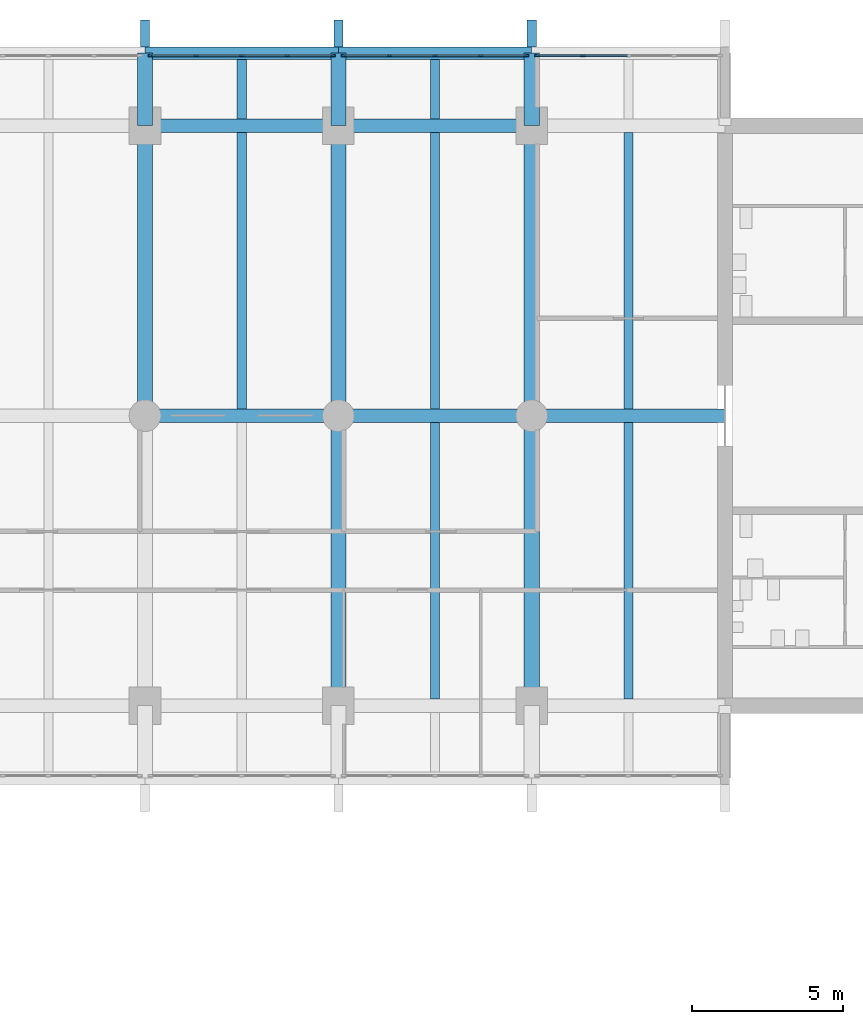
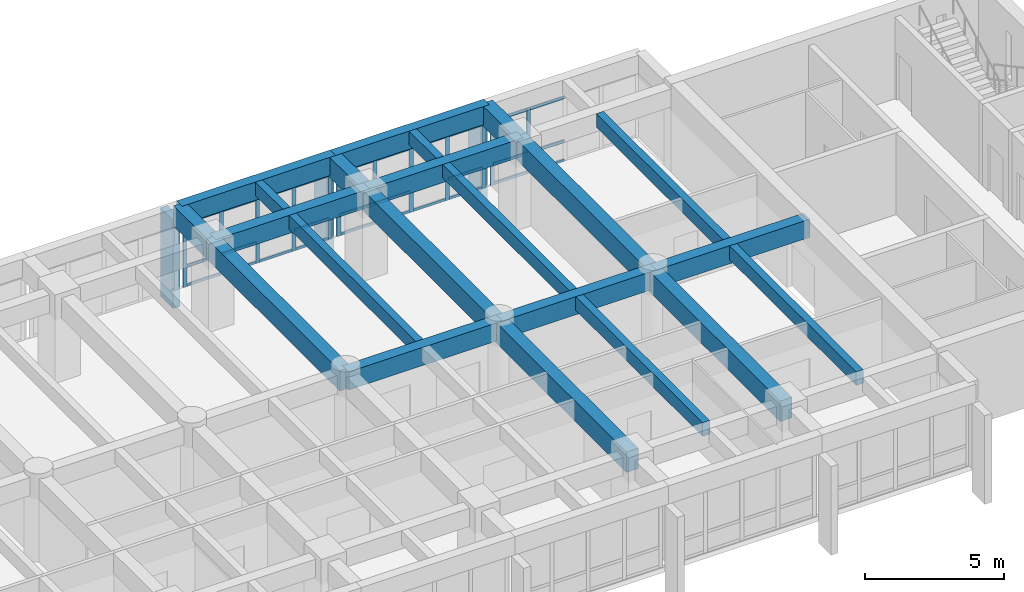
# One storey, part 6 of 19: 45 members, 22 beams, 3 elements without a shape of their own.
"""IFC4 building model written with IfcOpenShell, lengths in metres."""

from ifc_helpers import new_model, si_unit, direction, frame, origin, origin_2d, place, context, subcontext, project, spatial, rectangle, extrude, material, layer, layer_set, material_profile, profile_set, type_object, element, aggregate, save


model = new_model("IFC4")

# Units and contexts
model_context = context("Model", 3, precision=1e-05, world=origin(), true_north=direction((0.0, 1.0)))
body_context = subcontext(model_context, "Body", "Model", "MODEL_VIEW")
ifc_project = project(units=[si_unit("LENGTHUNIT", "METRE"), si_unit("AREAUNIT", "SQUARE_METRE"), si_unit("VOLUMEUNIT", "CUBIC_METRE"), si_unit("PLANEANGLEUNIT", "RADIAN"), si_unit("MASSUNIT", "GRAM", prefix="KILO")], contexts=[model_context])

# Site, building, storey
site_placement = place(None, origin())
site = spatial("IfcSite", under=ifc_project, at=site_placement, CompositionType="ELEMENT")
building_placement = place(site_placement, origin())
building = spatial("IfcBuilding", under=site, at=building_placement, Name="Fogon Plaza Fire Station and Headquarters Tower", CompositionType="ELEMENT")
storey_placement = place(building_placement, frame((0.0, 0.0, 24.89990234375)))
storey = spatial("IfcBuildingStorey", under=building, at=storey_placement, Name="L06", CompositionType="ELEMENT", Elevation=24.89990234375)

# Beams
ifc_material_1 = material(Name="Concrete C40", Category="concrete")
ifc_material_profile_1 = material_profile(ifc_material_1, rectangle(XDim=0.39990234375, YDim=0.800048828125, at=origin_2d()), Name="RC 400x800")
ifc_profile_set_1 = profile_set([ifc_material_profile_1], Name="Concrete C40")
beam_type_1 = type_object("IfcBeamType", Name="BEAM RC 400x800", PredefinedType="BEAM", material=ifc_profile_set_1)
beam_1_placement = place(storey_placement, frame((44.800048828125, 55.199951171875, 3.280029296875), z_axis=(1.0, 0.0, 0.0), x_axis=(0.0, 1.0, 0.0)))
element("IfcBeam", 1, at=beam_1_placement, inside=storey, type_object=beam_type_1, Name="beam-L06-048", PredefinedType="BEAM", context=body_context, shape_type="SweptSolid", body=[
    extrude(rectangle(XDim=0.39990234375, YDim=0.800048828125, at=origin_2d()), origin(), (0.0, 0.0, 1.0), 6.39990234375),
])
beam_2_placement = place(storey_placement, frame((51.199951171875, 55.199951171875, 3.280029296875), z_axis=(1.0, 0.0, 0.0), x_axis=(0.0, 1.0, 0.0)))
element("IfcBeam", 2, at=beam_2_placement, inside=storey, type_object=beam_type_1, Name="beam-L06-049", PredefinedType="BEAM", context=body_context, shape_type="SweptSolid", body=[
    extrude(rectangle(XDim=0.39990234375, YDim=0.800048828125, at=origin_2d()), origin(), (0.0, 0.0, 1.0), 6.400146484375),
])
ifc_material_2 = material(Name="Concrete C40", Category="concrete")
ifc_material_profile_2 = material_profile(ifc_material_2, rectangle(XDim=0.449951171875, YDim=0.800048828125, at=origin_2d()), Name="RC 450x800")
ifc_profile_set_2 = profile_set([ifc_material_profile_2], Name="Concrete C40")
beam_type_2 = type_object("IfcBeamType", Name="BEAM RC 450x800", PredefinedType="BEAM", material=ifc_profile_set_2)
beam_3_placement = place(storey_placement, frame((44.800048828125, 43.199951171875, 3.280029296875), z_axis=(1.0, 0.0, 0.0), x_axis=(0.0, 1.0, 0.0)))
element("IfcBeam", 3, at=beam_3_placement, inside=storey, type_object=beam_type_2, Name="beam-L06-030", PredefinedType="BEAM", context=body_context, shape_type="SweptSolid", body=[
    extrude(rectangle(XDim=0.449951171875, YDim=0.800048828125, at=origin_2d()), origin(), (0.0, 0.0, 1.0), 6.39990234375),
])
beam_4_placement = place(storey_placement, frame((51.199951171875, 43.199951171875, 3.280029296875), z_axis=(1.0, 0.0, 0.0), x_axis=(0.0, 1.0, 0.0)))
element("IfcBeam", 4, at=beam_4_placement, inside=storey, type_object=beam_type_2, Name="beam-L06-031", PredefinedType="BEAM", context=body_context, shape_type="SweptSolid", body=[
    extrude(rectangle(XDim=0.449951171875, YDim=0.800048828125, at=origin_2d()), origin(), (0.0, 0.0, 1.0), 6.400146484375),
])
for number, where, z_axis, x_axis, name in (
    (5, (57.60009765625, 43.199951171875, 3.280029296875), (1.0, 0.0, 0.0), (0.0, 1.0, 0.0), "beam-L06-032"),
    (6, (44.800048828125, 52.800048828125, 3.280029296875), (1.0, 0.0, 0.0), (0.0, 1.0, 0.0), "beam-L06-036"),
):
    element("IfcBeam", number, at=place(storey_placement, frame(where, z_axis=z_axis, x_axis=x_axis)), inside=storey, type_object=beam_type_2, Name=name, PredefinedType="BEAM", context=body_context, shape_type="SweptSolid", body=[
        extrude(rectangle(XDim=0.449951171875, YDim=0.800048828125, at=origin_2d()), origin(), (0.0, 0.0, 1.0), 6.39990234375),
    ])
beam_5_placement = place(storey_placement, frame((51.199951171875, 52.800048828125, 3.280029296875), z_axis=(1.0, 0.0, 0.0), x_axis=(0.0, 1.0, 0.0)))
element("IfcBeam", 7, at=beam_5_placement, inside=storey, type_object=beam_type_2, Name="beam-L06-037", PredefinedType="BEAM", context=body_context, shape_type="SweptSolid", body=[
    extrude(rectangle(XDim=0.449951171875, YDim=0.800048828125, at=origin_2d()), origin(), (0.0, 0.0, 1.0), 6.400146484375),
])
ifc_material_3 = material(Name="Concrete C40", Category="concrete")
ifc_material_profile_3 = material_profile(ifc_material_3, rectangle(XDim=0.5, YDim=0.89990234375, at=origin_2d()), Name="RC 500x900")
ifc_profile_set_3 = profile_set([ifc_material_profile_3], Name="Concrete C40")
beam_type_3 = type_object("IfcBeamType", Name="BEAM RC 500x900 SPAN 0.0 TO 3.0 M", PredefinedType="BEAM", material=ifc_profile_set_3)
for number, where, z_axis, x_axis, name in (
    (8, (44.800048828125, 52.800048828125, 3.22998046875), (0.0, 1.0, 0.0), (-1.0, 0.0, 0.0), "beam-L06-012"),
    (9, (51.199951171875, 52.800048828125, 3.22998046875), (0.0, 1.0, 0.0), (-1.0, 0.0, 0.0), "beam-L06-016"),
    (10, (57.60009765625, 52.800048828125, 3.22998046875), (0.0, 1.0, 0.0), (-1.0, 0.0, 0.0), "beam-L06-020"),
):
    element("IfcBeam", number, at=place(storey_placement, frame(where, z_axis=z_axis, x_axis=x_axis)), inside=storey, type_object=beam_type_3, Name=name, PredefinedType="BEAM", context=body_context, shape_type="SweptSolid", body=[
        extrude(rectangle(XDim=0.5, YDim=0.89990234375, at=origin_2d()), origin(), (0.0, 0.0, 1.0), 2.39990234375),
    ])
ifc_material_4 = material(Name="Concrete C40", Category="concrete")
ifc_material_profile_4 = material_profile(ifc_material_4, rectangle(XDim=0.5, YDim=0.89990234375, at=origin_2d()), Name="RC 500x900")
ifc_profile_set_4 = profile_set([ifc_material_profile_4], Name="Concrete C40")
beam_type_4 = type_object("IfcBeamType", Name="BEAM RC 500x900 SPAN 7.7 TO 12.3 M", PredefinedType="BEAM", material=ifc_profile_set_4)
beam_6_placement = place(storey_placement, frame((44.800048828125, 43.199951171875, 3.22998046875), z_axis=(0.0, 1.0, 0.0), x_axis=(-1.0, 0.0, 0.0)))
element("IfcBeam", 11, at=beam_6_placement, inside=storey, type_object=beam_type_4, Name="beam-L06-011", PredefinedType="BEAM", context=body_context, shape_type="SweptSolid", body=[
    extrude(rectangle(XDim=0.5, YDim=0.89990234375, at=origin_2d()), origin(), (0.0, 0.0, 1.0), 9.60009765625),
])
beam_7_placement = place(storey_placement, frame((51.199951171875, 33.60009765625, 3.22998046875), z_axis=(0.0, 1.0, 0.0), x_axis=(-1.0, 0.0, 0.0)))
element("IfcBeam", 12, at=beam_7_placement, inside=storey, type_object=beam_type_4, Name="beam-L06-014", PredefinedType="BEAM", context=body_context, shape_type="SweptSolid", body=[
    extrude(rectangle(XDim=0.5, YDim=0.89990234375, at=origin_2d()), origin(), (0.0, 0.0, 1.0), 9.599853515625),
])
beam_8_placement = place(storey_placement, frame((51.199951171875, 43.199951171875, 3.22998046875), z_axis=(0.0, 1.0, 0.0), x_axis=(-1.0, 0.0, 0.0)))
element("IfcBeam", 13, at=beam_8_placement, inside=storey, type_object=beam_type_4, Name="beam-L06-015", PredefinedType="BEAM", context=body_context, shape_type="SweptSolid", body=[
    extrude(rectangle(XDim=0.5, YDim=0.89990234375, at=origin_2d()), origin(), (0.0, 0.0, 1.0), 9.60009765625),
])
beam_9_placement = place(storey_placement, frame((57.60009765625, 33.60009765625, 3.22998046875), z_axis=(0.0, 1.0, 0.0), x_axis=(-1.0, 0.0, 0.0)))
element("IfcBeam", 14, at=beam_9_placement, inside=storey, type_object=beam_type_4, Name="beam-L06-018", PredefinedType="BEAM", context=body_context, shape_type="SweptSolid", body=[
    extrude(rectangle(XDim=0.5, YDim=0.89990234375, at=origin_2d()), origin(), (0.0, 0.0, 1.0), 9.599853515625),
])
beam_10_placement = place(storey_placement, frame((57.60009765625, 43.199951171875, 3.22998046875), z_axis=(0.0, 1.0, 0.0), x_axis=(-1.0, 0.0, 0.0)))
element("IfcBeam", 15, at=beam_10_placement, inside=storey, type_object=beam_type_4, Name="beam-L06-019", PredefinedType="BEAM", context=body_context, shape_type="SweptSolid", body=[
    extrude(rectangle(XDim=0.5, YDim=0.89990234375, at=origin_2d()), origin(), (0.0, 0.0, 1.0), 9.60009765625),
])

# Curtain wall, members
ifc_material_5 = material(Name="Aluminium and glass", Category="aluminium")
ifc_layer = layer(ifc_material_5, 0.14990234375)
ifc_layer_set = layer_set([ifc_layer], Name="Aluminium and glass")
curtain_wall_type = type_object("IfcCurtainWallType", Name="Unitised Curtain Wall Run 6100x2880", PredefinedType="NOTDEFINED", material=ifc_layer_set)
curtain_wall_1_placement = place(storey_placement, origin())
curtain_wall_1 = element("IfcCurtainWall", 16, at=curtain_wall_1_placement, inside=storey, type_object=curtain_wall_type, Name="CW-6100x2880 N4 L06", PredefinedType="NOTDEFINED")
ifc_material_6 = material(Name="Aluminium", Category="aluminium")
ifc_material_profile_5 = material_profile(ifc_material_6, rectangle(XDim=0.06005859375, YDim=0.159912109375, at=origin_2d()), Name="Curtain Wall Mullion 60x160")
ifc_profile_set_5 = profile_set([ifc_material_profile_5], Name="Aluminium")
member_type_1 = type_object("IfcMemberType", Name="Curtain Wall Mullion 60x160", PredefinedType="MULLION", material=ifc_profile_set_5)
member_1_placement = place(storey_placement, frame((44.97998046875, 55.1201171875, 0.0), z_axis=(0.0, 0.0, 1.0), x_axis=(0.0, 1.0, 0.0)))
member_1 = element("IfcMember", 17, at=member_1_placement, type_object=member_type_1, Name="CW-6100x2880 mullion 1", PredefinedType="MULLION", context=body_context, shape_type="SweptSolid", body=[
    extrude(rectangle(XDim=0.06005859375, YDim=0.159912109375, at=origin_2d()), origin(), (0.0, 0.0, 1.0), 2.880126953125),
])
member_2_placement = place(storey_placement, frame((46.489990234375, 55.1201171875, 0.0), z_axis=(0.0, 0.0, 1.0), x_axis=(0.0, 1.0, 0.0)))
member_2 = element("IfcMember", 18, at=member_2_placement, type_object=member_type_1, Name="CW-6100x2880 mullion 2", PredefinedType="MULLION", context=body_context, shape_type="SweptSolid", body=[
    extrude(rectangle(XDim=0.06005859375, YDim=0.159912109375, at=origin_2d()), origin(), (0.0, 0.0, 1.0), 2.880126953125),
])
member_3_placement = place(storey_placement, frame((48.0, 55.1201171875, 0.0), z_axis=(0.0, 0.0, 1.0), x_axis=(0.0, 1.0, 0.0)))
member_3 = element("IfcMember", 19, at=member_3_placement, type_object=member_type_1, Name="CW-6100x2880 mullion 3", PredefinedType="MULLION", context=body_context, shape_type="SweptSolid", body=[
    extrude(rectangle(XDim=0.06005859375, YDim=0.159912109375, at=origin_2d()), origin(), (0.0, 0.0, 1.0), 2.880126953125),
])
member_4_placement = place(storey_placement, frame((49.510009765625, 55.1201171875, 0.0), z_axis=(0.0, 0.0, 1.0), x_axis=(0.0, 1.0, 0.0)))
member_4 = element("IfcMember", 20, at=member_4_placement, type_object=member_type_1, Name="CW-6100x2880 mullion 4", PredefinedType="MULLION", context=body_context, shape_type="SweptSolid", body=[
    extrude(rectangle(XDim=0.06005859375, YDim=0.159912109375, at=origin_2d()), origin(), (0.0, 0.0, 1.0), 2.880126953125),
])
member_5_placement = place(storey_placement, frame((51.02001953125, 55.1201171875, 0.0), z_axis=(0.0, 0.0, 1.0), x_axis=(0.0, 1.0, 0.0)))
member_5 = element("IfcMember", 21, at=member_5_placement, type_object=member_type_1, Name="CW-6100x2880 mullion 5", PredefinedType="MULLION", context=body_context, shape_type="SweptSolid", body=[
    extrude(rectangle(XDim=0.06005859375, YDim=0.159912109375, at=origin_2d()), origin(), (0.0, 0.0, 1.0), 2.880126953125),
])

curtain_wall_2_placement = place(storey_placement, origin())
curtain_wall_2 = element("IfcCurtainWall", 22, at=curtain_wall_2_placement, inside=storey, type_object=curtain_wall_type, Name="CW-6100x2880 N5 L06", PredefinedType="NOTDEFINED")
member_6_placement = place(storey_placement, frame((51.3798828125, 55.1201171875, 0.0), z_axis=(0.0, 0.0, 1.0), x_axis=(0.0, 1.0, 0.0)))
member_6 = element("IfcMember", 23, at=member_6_placement, type_object=member_type_1, Name="CW-6100x2880 mullion 1", PredefinedType="MULLION", context=body_context, shape_type="SweptSolid", body=[
    extrude(rectangle(XDim=0.06005859375, YDim=0.159912109375, at=origin_2d()), origin(), (0.0, 0.0, 1.0), 2.880126953125),
])
member_7_placement = place(storey_placement, frame((52.889892578125, 55.1201171875, 0.0), z_axis=(0.0, 0.0, 1.0), x_axis=(0.0, 1.0, 0.0)))
member_7 = element("IfcMember", 24, at=member_7_placement, type_object=member_type_1, Name="CW-6100x2880 mullion 2", PredefinedType="MULLION", context=body_context, shape_type="SweptSolid", body=[
    extrude(rectangle(XDim=0.06005859375, YDim=0.159912109375, at=origin_2d()), origin(), (0.0, 0.0, 1.0), 2.880126953125),
])
member_8_placement = place(storey_placement, frame((54.39990234375, 55.1201171875, 0.0), z_axis=(0.0, 0.0, 1.0), x_axis=(0.0, 1.0, 0.0)))
member_8 = element("IfcMember", 25, at=member_8_placement, type_object=member_type_1, Name="CW-6100x2880 mullion 3", PredefinedType="MULLION", context=body_context, shape_type="SweptSolid", body=[
    extrude(rectangle(XDim=0.06005859375, YDim=0.159912109375, at=origin_2d()), origin(), (0.0, 0.0, 1.0), 2.880126953125),
])
member_9_placement = place(storey_placement, frame((55.909912109375, 55.1201171875, 0.0), z_axis=(0.0, 0.0, 1.0), x_axis=(0.0, 1.0, 0.0)))
member_9 = element("IfcMember", 26, at=member_9_placement, type_object=member_type_1, Name="CW-6100x2880 mullion 4", PredefinedType="MULLION", context=body_context, shape_type="SweptSolid", body=[
    extrude(rectangle(XDim=0.06005859375, YDim=0.159912109375, at=origin_2d()), origin(), (0.0, 0.0, 1.0), 2.880126953125),
])
member_10_placement = place(storey_placement, frame((57.419921875, 55.1201171875, 0.0), z_axis=(0.0, 0.0, 1.0), x_axis=(0.0, 1.0, 0.0)))
member_10 = element("IfcMember", 27, at=member_10_placement, type_object=member_type_1, Name="CW-6100x2880 mullion 5", PredefinedType="MULLION", context=body_context, shape_type="SweptSolid", body=[
    extrude(rectangle(XDim=0.06005859375, YDim=0.159912109375, at=origin_2d()), origin(), (0.0, 0.0, 1.0), 2.880126953125),
])

curtain_wall_3_placement = place(storey_placement, origin())
curtain_wall_3 = element("IfcCurtainWall", 28, at=curtain_wall_3_placement, inside=storey, type_object=curtain_wall_type, Name="CW-6100x2880 N6 L06", PredefinedType="NOTDEFINED")
member_11_placement = place(storey_placement, frame((57.780029296875, 55.1201171875, 0.0), z_axis=(0.0, 0.0, 1.0), x_axis=(0.0, 1.0, 0.0)))
member_11 = element("IfcMember", 29, at=member_11_placement, type_object=member_type_1, Name="CW-6100x2880 mullion 1", PredefinedType="MULLION", context=body_context, shape_type="SweptSolid", body=[
    extrude(rectangle(XDim=0.06005859375, YDim=0.159912109375, at=origin_2d()), origin(), (0.0, 0.0, 1.0), 2.880126953125),
])
member_12_placement = place(storey_placement, frame((59.2900390625, 55.1201171875, 0.0), z_axis=(0.0, 0.0, 1.0), x_axis=(0.0, 1.0, 0.0)))
member_12 = element("IfcMember", 30, at=member_12_placement, type_object=member_type_1, Name="CW-6100x2880 mullion 2", PredefinedType="MULLION", context=body_context, shape_type="SweptSolid", body=[
    extrude(rectangle(XDim=0.06005859375, YDim=0.159912109375, at=origin_2d()), origin(), (0.0, 0.0, 1.0), 2.880126953125),
])

# Member
ifc_material_7 = material(Name="Aluminium", Category="aluminium")
ifc_material_profile_6 = material_profile(ifc_material_7, rectangle(XDim=0.06005859375, YDim=0.1201171875, at=origin_2d()), Name="Curtain Wall Transom 60x120")
ifc_profile_set_6 = profile_set([ifc_material_profile_6], Name="Aluminium")
member_type_2 = type_object("IfcMemberType", Name="Curtain Wall Transom 60x120", PredefinedType="USERDEFINED", material=ifc_profile_set_6)
member_13_placement = place(storey_placement, frame((45.010009765625, 55.1201171875, 0.06005859375), z_axis=(1.0, 0.0, 0.0), x_axis=(0.0, 1.0, 0.0)))
member_13 = element("IfcMember", 31, at=member_13_placement, type_object=member_type_2, Name="CW-6100x2880 transom 1.1", ObjectType="TRANSOM", PredefinedType="USERDEFINED", context=body_context, shape_type="SweptSolid", body=[
    extrude(rectangle(XDim=0.06005859375, YDim=0.1201171875, at=origin_2d()), origin(), (0.0, 0.0, 1.0), 1.449951171875),
])

member_14_placement = place(storey_placement, frame((45.010009765625, 55.1201171875, 0.900146484375), z_axis=(1.0, 0.0, 0.0), x_axis=(0.0, 1.0, 0.0)))
member_14 = element("IfcMember", 32, at=member_14_placement, type_object=member_type_2, Name="CW-6100x2880 transom 1.2", ObjectType="TRANSOM", PredefinedType="USERDEFINED", context=body_context, shape_type="SweptSolid", body=[
    extrude(rectangle(XDim=0.06005859375, YDim=0.1201171875, at=origin_2d()), origin(), (0.0, 0.0, 1.0), 1.449951171875),
])

member_15_placement = place(storey_placement, frame((45.010009765625, 55.1201171875, 2.820068359375), z_axis=(1.0, 0.0, 0.0), x_axis=(0.0, 1.0, 0.0)))
member_15 = element("IfcMember", 33, at=member_15_placement, type_object=member_type_2, Name="CW-6100x2880 transom 1.3", ObjectType="TRANSOM", PredefinedType="USERDEFINED", context=body_context, shape_type="SweptSolid", body=[
    extrude(rectangle(XDim=0.06005859375, YDim=0.1201171875, at=origin_2d()), origin(), (0.0, 0.0, 1.0), 1.449951171875),
])

member_16_placement = place(storey_placement, frame((46.52001953125, 55.1201171875, 0.06005859375), z_axis=(1.0, 0.0, 0.0), x_axis=(0.0, 1.0, 0.0)))
member_16 = element("IfcMember", 34, at=member_16_placement, type_object=member_type_2, Name="CW-6100x2880 transom 2.1", ObjectType="TRANSOM", PredefinedType="USERDEFINED", context=body_context, shape_type="SweptSolid", body=[
    extrude(rectangle(XDim=0.06005859375, YDim=0.1201171875, at=origin_2d()), origin(), (0.0, 0.0, 1.0), 1.449951171875),
])

member_17_placement = place(storey_placement, frame((46.52001953125, 55.1201171875, 0.900146484375), z_axis=(1.0, 0.0, 0.0), x_axis=(0.0, 1.0, 0.0)))
member_17 = element("IfcMember", 35, at=member_17_placement, type_object=member_type_2, Name="CW-6100x2880 transom 2.2", ObjectType="TRANSOM", PredefinedType="USERDEFINED", context=body_context, shape_type="SweptSolid", body=[
    extrude(rectangle(XDim=0.06005859375, YDim=0.1201171875, at=origin_2d()), origin(), (0.0, 0.0, 1.0), 1.449951171875),
])

member_18_placement = place(storey_placement, frame((46.52001953125, 55.1201171875, 2.820068359375), z_axis=(1.0, 0.0, 0.0), x_axis=(0.0, 1.0, 0.0)))
member_18 = element("IfcMember", 36, at=member_18_placement, type_object=member_type_2, Name="CW-6100x2880 transom 2.3", ObjectType="TRANSOM", PredefinedType="USERDEFINED", context=body_context, shape_type="SweptSolid", body=[
    extrude(rectangle(XDim=0.06005859375, YDim=0.1201171875, at=origin_2d()), origin(), (0.0, 0.0, 1.0), 1.449951171875),
])

member_19_placement = place(storey_placement, frame((48.030029296875, 55.1201171875, 0.06005859375), z_axis=(1.0, 0.0, 0.0), x_axis=(0.0, 1.0, 0.0)))
member_19 = element("IfcMember", 37, at=member_19_placement, type_object=member_type_2, Name="CW-6100x2880 transom 3.1", ObjectType="TRANSOM", PredefinedType="USERDEFINED", context=body_context, shape_type="SweptSolid", body=[
    extrude(rectangle(XDim=0.06005859375, YDim=0.1201171875, at=origin_2d()), origin(), (0.0, 0.0, 1.0), 1.449951171875),
])

member_20_placement = place(storey_placement, frame((48.030029296875, 55.1201171875, 0.900146484375), z_axis=(1.0, 0.0, 0.0), x_axis=(0.0, 1.0, 0.0)))
member_20 = element("IfcMember", 38, at=member_20_placement, type_object=member_type_2, Name="CW-6100x2880 transom 3.2", ObjectType="TRANSOM", PredefinedType="USERDEFINED", context=body_context, shape_type="SweptSolid", body=[
    extrude(rectangle(XDim=0.06005859375, YDim=0.1201171875, at=origin_2d()), origin(), (0.0, 0.0, 1.0), 1.449951171875),
])

member_21_placement = place(storey_placement, frame((48.030029296875, 55.1201171875, 2.820068359375), z_axis=(1.0, 0.0, 0.0), x_axis=(0.0, 1.0, 0.0)))
member_21 = element("IfcMember", 39, at=member_21_placement, type_object=member_type_2, Name="CW-6100x2880 transom 3.3", ObjectType="TRANSOM", PredefinedType="USERDEFINED", context=body_context, shape_type="SweptSolid", body=[
    extrude(rectangle(XDim=0.06005859375, YDim=0.1201171875, at=origin_2d()), origin(), (0.0, 0.0, 1.0), 1.449951171875),
])

member_22_placement = place(storey_placement, frame((49.5400390625, 55.1201171875, 0.06005859375), z_axis=(1.0, 0.0, 0.0), x_axis=(0.0, 1.0, 0.0)))
member_22 = element("IfcMember", 40, at=member_22_placement, type_object=member_type_2, Name="CW-6100x2880 transom 4.1", ObjectType="TRANSOM", PredefinedType="USERDEFINED", context=body_context, shape_type="SweptSolid", body=[
    extrude(rectangle(XDim=0.06005859375, YDim=0.1201171875, at=origin_2d()), origin(), (0.0, 0.0, 1.0), 1.449951171875),
])

member_23_placement = place(storey_placement, frame((49.5400390625, 55.1201171875, 0.900146484375), z_axis=(1.0, 0.0, 0.0), x_axis=(0.0, 1.0, 0.0)))
member_23 = element("IfcMember", 41, at=member_23_placement, type_object=member_type_2, Name="CW-6100x2880 transom 4.2", ObjectType="TRANSOM", PredefinedType="USERDEFINED", context=body_context, shape_type="SweptSolid", body=[
    extrude(rectangle(XDim=0.06005859375, YDim=0.1201171875, at=origin_2d()), origin(), (0.0, 0.0, 1.0), 1.449951171875),
])

member_24_placement = place(storey_placement, frame((49.5400390625, 55.1201171875, 2.820068359375), z_axis=(1.0, 0.0, 0.0), x_axis=(0.0, 1.0, 0.0)))
member_24 = element("IfcMember", 42, at=member_24_placement, type_object=member_type_2, Name="CW-6100x2880 transom 4.3", ObjectType="TRANSOM", PredefinedType="USERDEFINED", context=body_context, shape_type="SweptSolid", body=[
    extrude(rectangle(XDim=0.06005859375, YDim=0.1201171875, at=origin_2d()), origin(), (0.0, 0.0, 1.0), 1.449951171875),
])

aggregate(curtain_wall_1, [member_1, member_2, member_3, member_4, member_5, member_13, member_14, member_15, member_16, member_17, member_18, member_19, member_20, member_21, member_22, member_23, member_24])

member_25_placement = place(storey_placement, frame((51.409912109375, 55.1201171875, 0.06005859375), z_axis=(1.0, 0.0, 0.0), x_axis=(0.0, 1.0, 0.0)))
member_25 = element("IfcMember", 43, at=member_25_placement, type_object=member_type_2, Name="CW-6100x2880 transom 1.1", ObjectType="TRANSOM", PredefinedType="USERDEFINED", context=body_context, shape_type="SweptSolid", body=[
    extrude(rectangle(XDim=0.06005859375, YDim=0.1201171875, at=origin_2d()), origin(), (0.0, 0.0, 1.0), 1.4501953125),
])

member_26_placement = place(storey_placement, frame((51.409912109375, 55.1201171875, 0.900146484375), z_axis=(1.0, 0.0, 0.0), x_axis=(0.0, 1.0, 0.0)))
member_26 = element("IfcMember", 44, at=member_26_placement, type_object=member_type_2, Name="CW-6100x2880 transom 1.2", ObjectType="TRANSOM", PredefinedType="USERDEFINED", context=body_context, shape_type="SweptSolid", body=[
    extrude(rectangle(XDim=0.06005859375, YDim=0.1201171875, at=origin_2d()), origin(), (0.0, 0.0, 1.0), 1.4501953125),
])

member_27_placement = place(storey_placement, frame((51.409912109375, 55.1201171875, 2.820068359375), z_axis=(1.0, 0.0, 0.0), x_axis=(0.0, 1.0, 0.0)))
member_27 = element("IfcMember", 45, at=member_27_placement, type_object=member_type_2, Name="CW-6100x2880 transom 1.3", ObjectType="TRANSOM", PredefinedType="USERDEFINED", context=body_context, shape_type="SweptSolid", body=[
    extrude(rectangle(XDim=0.06005859375, YDim=0.1201171875, at=origin_2d()), origin(), (0.0, 0.0, 1.0), 1.4501953125),
])

member_28_placement = place(storey_placement, frame((52.919921875, 55.1201171875, 0.06005859375), z_axis=(1.0, 0.0, 0.0), x_axis=(0.0, 1.0, 0.0)))
member_28 = element("IfcMember", 46, at=member_28_placement, type_object=member_type_2, Name="CW-6100x2880 transom 2.1", ObjectType="TRANSOM", PredefinedType="USERDEFINED", context=body_context, shape_type="SweptSolid", body=[
    extrude(rectangle(XDim=0.06005859375, YDim=0.1201171875, at=origin_2d()), origin(), (0.0, 0.0, 1.0), 1.4501953125),
])

member_29_placement = place(storey_placement, frame((52.919921875, 55.1201171875, 0.900146484375), z_axis=(1.0, 0.0, 0.0), x_axis=(0.0, 1.0, 0.0)))
member_29 = element("IfcMember", 47, at=member_29_placement, type_object=member_type_2, Name="CW-6100x2880 transom 2.2", ObjectType="TRANSOM", PredefinedType="USERDEFINED", context=body_context, shape_type="SweptSolid", body=[
    extrude(rectangle(XDim=0.06005859375, YDim=0.1201171875, at=origin_2d()), origin(), (0.0, 0.0, 1.0), 1.4501953125),
])

member_30_placement = place(storey_placement, frame((52.919921875, 55.1201171875, 2.820068359375), z_axis=(1.0, 0.0, 0.0), x_axis=(0.0, 1.0, 0.0)))
member_30 = element("IfcMember", 48, at=member_30_placement, type_object=member_type_2, Name="CW-6100x2880 transom 2.3", ObjectType="TRANSOM", PredefinedType="USERDEFINED", context=body_context, shape_type="SweptSolid", body=[
    extrude(rectangle(XDim=0.06005859375, YDim=0.1201171875, at=origin_2d()), origin(), (0.0, 0.0, 1.0), 1.4501953125),
])

member_31_placement = place(storey_placement, frame((54.429931640625, 55.1201171875, 0.06005859375), z_axis=(1.0, 0.0, 0.0), x_axis=(0.0, 1.0, 0.0)))
member_31 = element("IfcMember", 49, at=member_31_placement, type_object=member_type_2, Name="CW-6100x2880 transom 3.1", ObjectType="TRANSOM", PredefinedType="USERDEFINED", context=body_context, shape_type="SweptSolid", body=[
    extrude(rectangle(XDim=0.06005859375, YDim=0.1201171875, at=origin_2d()), origin(), (0.0, 0.0, 1.0), 1.449951171875),
])

member_32_placement = place(storey_placement, frame((54.429931640625, 55.1201171875, 0.900146484375), z_axis=(1.0, 0.0, 0.0), x_axis=(0.0, 1.0, 0.0)))
member_32 = element("IfcMember", 50, at=member_32_placement, type_object=member_type_2, Name="CW-6100x2880 transom 3.2", ObjectType="TRANSOM", PredefinedType="USERDEFINED", context=body_context, shape_type="SweptSolid", body=[
    extrude(rectangle(XDim=0.06005859375, YDim=0.1201171875, at=origin_2d()), origin(), (0.0, 0.0, 1.0), 1.449951171875),
])

member_33_placement = place(storey_placement, frame((54.429931640625, 55.1201171875, 2.820068359375), z_axis=(1.0, 0.0, 0.0), x_axis=(0.0, 1.0, 0.0)))
member_33 = element("IfcMember", 51, at=member_33_placement, type_object=member_type_2, Name="CW-6100x2880 transom 3.3", ObjectType="TRANSOM", PredefinedType="USERDEFINED", context=body_context, shape_type="SweptSolid", body=[
    extrude(rectangle(XDim=0.06005859375, YDim=0.1201171875, at=origin_2d()), origin(), (0.0, 0.0, 1.0), 1.449951171875),
])

member_34_placement = place(storey_placement, frame((55.93994140625, 55.1201171875, 0.06005859375), z_axis=(1.0, 0.0, 0.0), x_axis=(0.0, 1.0, 0.0)))
member_34 = element("IfcMember", 52, at=member_34_placement, type_object=member_type_2, Name="CW-6100x2880 transom 4.1", ObjectType="TRANSOM", PredefinedType="USERDEFINED", context=body_context, shape_type="SweptSolid", body=[
    extrude(rectangle(XDim=0.06005859375, YDim=0.1201171875, at=origin_2d()), origin(), (0.0, 0.0, 1.0), 1.449951171875),
])

member_35_placement = place(storey_placement, frame((55.93994140625, 55.1201171875, 0.900146484375), z_axis=(1.0, 0.0, 0.0), x_axis=(0.0, 1.0, 0.0)))
member_35 = element("IfcMember", 53, at=member_35_placement, type_object=member_type_2, Name="CW-6100x2880 transom 4.2", ObjectType="TRANSOM", PredefinedType="USERDEFINED", context=body_context, shape_type="SweptSolid", body=[
    extrude(rectangle(XDim=0.06005859375, YDim=0.1201171875, at=origin_2d()), origin(), (0.0, 0.0, 1.0), 1.449951171875),
])

member_36_placement = place(storey_placement, frame((55.93994140625, 55.1201171875, 2.820068359375), z_axis=(1.0, 0.0, 0.0), x_axis=(0.0, 1.0, 0.0)))
member_36 = element("IfcMember", 54, at=member_36_placement, type_object=member_type_2, Name="CW-6100x2880 transom 4.3", ObjectType="TRANSOM", PredefinedType="USERDEFINED", context=body_context, shape_type="SweptSolid", body=[
    extrude(rectangle(XDim=0.06005859375, YDim=0.1201171875, at=origin_2d()), origin(), (0.0, 0.0, 1.0), 1.449951171875),
])

aggregate(curtain_wall_2, [member_6, member_7, member_8, member_9, member_10, member_25, member_26, member_27, member_28, member_29, member_30, member_31, member_32, member_33, member_34, member_35, member_36])

member_37_placement = place(storey_placement, frame((57.81005859375, 55.1201171875, 0.06005859375), z_axis=(1.0, 0.0, 0.0), x_axis=(0.0, 1.0, 0.0)))
member_37 = element("IfcMember", 55, at=member_37_placement, type_object=member_type_2, Name="CW-6100x2880 transom 1.1", ObjectType="TRANSOM", PredefinedType="USERDEFINED", context=body_context, shape_type="SweptSolid", body=[
    extrude(rectangle(XDim=0.06005859375, YDim=0.1201171875, at=origin_2d()), origin(), (0.0, 0.0, 1.0), 1.449951171875),
])

member_38_placement = place(storey_placement, frame((57.81005859375, 55.1201171875, 0.900146484375), z_axis=(1.0, 0.0, 0.0), x_axis=(0.0, 1.0, 0.0)))
member_38 = element("IfcMember", 56, at=member_38_placement, type_object=member_type_2, Name="CW-6100x2880 transom 1.2", ObjectType="TRANSOM", PredefinedType="USERDEFINED", context=body_context, shape_type="SweptSolid", body=[
    extrude(rectangle(XDim=0.06005859375, YDim=0.1201171875, at=origin_2d()), origin(), (0.0, 0.0, 1.0), 1.449951171875),
])

member_39_placement = place(storey_placement, frame((57.81005859375, 55.1201171875, 2.820068359375), z_axis=(1.0, 0.0, 0.0), x_axis=(0.0, 1.0, 0.0)))
member_39 = element("IfcMember", 57, at=member_39_placement, type_object=member_type_2, Name="CW-6100x2880 transom 1.3", ObjectType="TRANSOM", PredefinedType="USERDEFINED", context=body_context, shape_type="SweptSolid", body=[
    extrude(rectangle(XDim=0.06005859375, YDim=0.1201171875, at=origin_2d()), origin(), (0.0, 0.0, 1.0), 1.449951171875),
])

member_40_placement = place(storey_placement, frame((59.320068359375, 55.1201171875, 0.06005859375), z_axis=(1.0, 0.0, 0.0), x_axis=(0.0, 1.0, 0.0)))
member_40 = element("IfcMember", 58, at=member_40_placement, type_object=member_type_2, Name="CW-6100x2880 transom 2.1", ObjectType="TRANSOM", PredefinedType="USERDEFINED", context=body_context, shape_type="SweptSolid", body=[
    extrude(rectangle(XDim=0.06005859375, YDim=0.1201171875, at=origin_2d()), origin(), (0.0, 0.0, 1.0), 1.449951171875),
])

member_41_placement = place(storey_placement, frame((59.320068359375, 55.1201171875, 0.900146484375), z_axis=(1.0, 0.0, 0.0), x_axis=(0.0, 1.0, 0.0)))
member_41 = element("IfcMember", 59, at=member_41_placement, type_object=member_type_2, Name="CW-6100x2880 transom 2.2", ObjectType="TRANSOM", PredefinedType="USERDEFINED", context=body_context, shape_type="SweptSolid", body=[
    extrude(rectangle(XDim=0.06005859375, YDim=0.1201171875, at=origin_2d()), origin(), (0.0, 0.0, 1.0), 1.449951171875),
])

member_42_placement = place(storey_placement, frame((59.320068359375, 55.1201171875, 2.820068359375), z_axis=(1.0, 0.0, 0.0), x_axis=(0.0, 1.0, 0.0)))
member_42 = element("IfcMember", 60, at=member_42_placement, type_object=member_type_2, Name="CW-6100x2880 transom 2.3", ObjectType="TRANSOM", PredefinedType="USERDEFINED", context=body_context, shape_type="SweptSolid", body=[
    extrude(rectangle(XDim=0.06005859375, YDim=0.1201171875, at=origin_2d()), origin(), (0.0, 0.0, 1.0), 1.449951171875),
])

aggregate(curtain_wall_3, [member_11, member_12, member_37, member_38, member_39, member_40, member_41, member_42])

# Beams
ifc_material_8 = material(Name="Concrete C40", Category="concrete")
ifc_material_profile_7 = material_profile(ifc_material_8, rectangle(XDim=0.300048828125, YDim=0.60009765625, at=origin_2d()), Name="RC 300x600")
ifc_profile_set_7 = profile_set([ifc_material_profile_7], Name="Concrete C40")
beam_type_5 = type_object("IfcBeamType", Name="JOIST RC 300x600", PredefinedType="JOIST", material=ifc_profile_set_7)
beam_11_placement = place(storey_placement, frame((48.0, 43.425048828125, 3.380126953125), z_axis=(0.0, 1.0, 0.0), x_axis=(-1.0, 0.0, 0.0)))
element("IfcBeam", 61, at=beam_11_placement, inside=storey, type_object=beam_type_5, Name="beam-L06-069", PredefinedType="JOIST", context=body_context, shape_type="SweptSolid", body=[
    extrude(rectangle(XDim=0.300048828125, YDim=0.60009765625, at=origin_2d()), origin(), (0.0, 0.0, 1.0), 9.14990234375),
])
beam_12_placement = place(storey_placement, frame((54.39990234375, 33.824951171875, 3.380126953125), z_axis=(0.0, 1.0, 0.0), x_axis=(-1.0, 0.0, 0.0)))
element("IfcBeam", 62, at=beam_12_placement, inside=storey, type_object=beam_type_5, Name="beam-L06-072", PredefinedType="JOIST", context=body_context, shape_type="SweptSolid", body=[
    extrude(rectangle(XDim=0.300048828125, YDim=0.60009765625, at=origin_2d()), origin(), (0.0, 0.0, 1.0), 9.150146484375),
])
beam_13_placement = place(storey_placement, frame((54.39990234375, 43.425048828125, 3.380126953125), z_axis=(0.0, 1.0, 0.0), x_axis=(-1.0, 0.0, 0.0)))
element("IfcBeam", 63, at=beam_13_placement, inside=storey, type_object=beam_type_5, Name="beam-L06-073", PredefinedType="JOIST", context=body_context, shape_type="SweptSolid", body=[
    extrude(rectangle(XDim=0.300048828125, YDim=0.60009765625, at=origin_2d()), origin(), (0.0, 0.0, 1.0), 9.14990234375),
])
beam_14_placement = place(storey_placement, frame((60.800048828125, 33.824951171875, 3.380126953125), z_axis=(0.0, 1.0, 0.0), x_axis=(-1.0, 0.0, 0.0)))
element("IfcBeam", 64, at=beam_14_placement, inside=storey, type_object=beam_type_5, Name="beam-L06-076", PredefinedType="JOIST", context=body_context, shape_type="SweptSolid", body=[
    extrude(rectangle(XDim=0.300048828125, YDim=0.60009765625, at=origin_2d()), origin(), (0.0, 0.0, 1.0), 9.150146484375),
])
beam_15_placement = place(storey_placement, frame((60.800048828125, 43.425048828125, 3.380126953125), z_axis=(0.0, 1.0, 0.0), x_axis=(-1.0, 0.0, 0.0)))
element("IfcBeam", 65, at=beam_15_placement, inside=storey, type_object=beam_type_5, Name="beam-L06-077", PredefinedType="JOIST", context=body_context, shape_type="SweptSolid", body=[
    extrude(rectangle(XDim=0.300048828125, YDim=0.60009765625, at=origin_2d()), origin(), (0.0, 0.0, 1.0), 9.14990234375),
])
ifc_material_9 = material(Name="Concrete C40", Category="concrete")
ifc_material_profile_8 = material_profile(ifc_material_9, rectangle(XDim=0.300048828125, YDim=0.60009765625, at=origin_2d()), Name="RC 300x600")
ifc_profile_set_8 = profile_set([ifc_material_profile_8], Name="Concrete C40")
beam_type_6 = type_object("IfcBeamType", Name="JOIST RC 300x600 SPAN 0.0 TO 3.0 M", PredefinedType="JOIST", material=ifc_profile_set_8)
for number, where, z_axis, x_axis, name in (
    (66, (48.0, 53.02490234375, 3.380126953125), (0.0, 1.0, 0.0), (-1.0, 0.0, 0.0), "beam-L06-070"),
    (67, (54.39990234375, 53.02490234375, 3.380126953125), (0.0, 1.0, 0.0), (-1.0, 0.0, 0.0), "beam-L06-074"),
):
    element("IfcBeam", number, at=place(storey_placement, frame(where, z_axis=z_axis, x_axis=x_axis)), inside=storey, type_object=beam_type_6, Name=name, PredefinedType="JOIST", context=body_context, shape_type="SweptSolid", body=[
        extrude(rectangle(XDim=0.300048828125, YDim=0.60009765625, at=origin_2d()), origin(), (0.0, 0.0, 1.0), 1.97509765625),
    ])

# Members
ifc_material_10 = material(Name="Concrete C40 precast", Category="concrete")
ifc_material_profile_9 = material_profile(ifc_material_10, rectangle(XDim=0.300048828125, YDim=0.89990234375, at=origin_2d()), Name="Precast Concrete Post 300x900")
ifc_profile_set_9 = profile_set([ifc_material_profile_9], Name="Concrete C40 precast")
member_type_3 = type_object("IfcMemberType", Name="Precast Concrete Post 300x900", PredefinedType="POST", material=ifc_profile_set_9)
for number, where, z_axis, x_axis, name in (
    (68, (44.800048828125, 55.85009765625, -1.02001953125), (0.0, 0.0, 1.0), (1.0, 0.0, 0.0), "Precast Post N L06"),
    (69, (51.199951171875, 55.85009765625, -1.02001953125), (0.0, 0.0, 1.0), (1.0, 0.0, 0.0), "Precast Post N L06"),
    (70, (57.60009765625, 55.85009765625, -1.02001953125), (0.0, 0.0, 1.0), (1.0, 0.0, 0.0), "Precast Post N L06"),
):
    element("IfcMember", number, at=place(storey_placement, frame(where, z_axis=z_axis, x_axis=x_axis)), inside=storey, type_object=member_type_3, Name=name, PredefinedType="POST", context=body_context, shape_type="SweptSolid", body=[
        extrude(rectangle(XDim=0.300048828125, YDim=0.89990234375, at=origin_2d()), origin(), (0.0, 0.0, 1.0), 3.900146484375),
    ])

save(model, "model.ifc")
